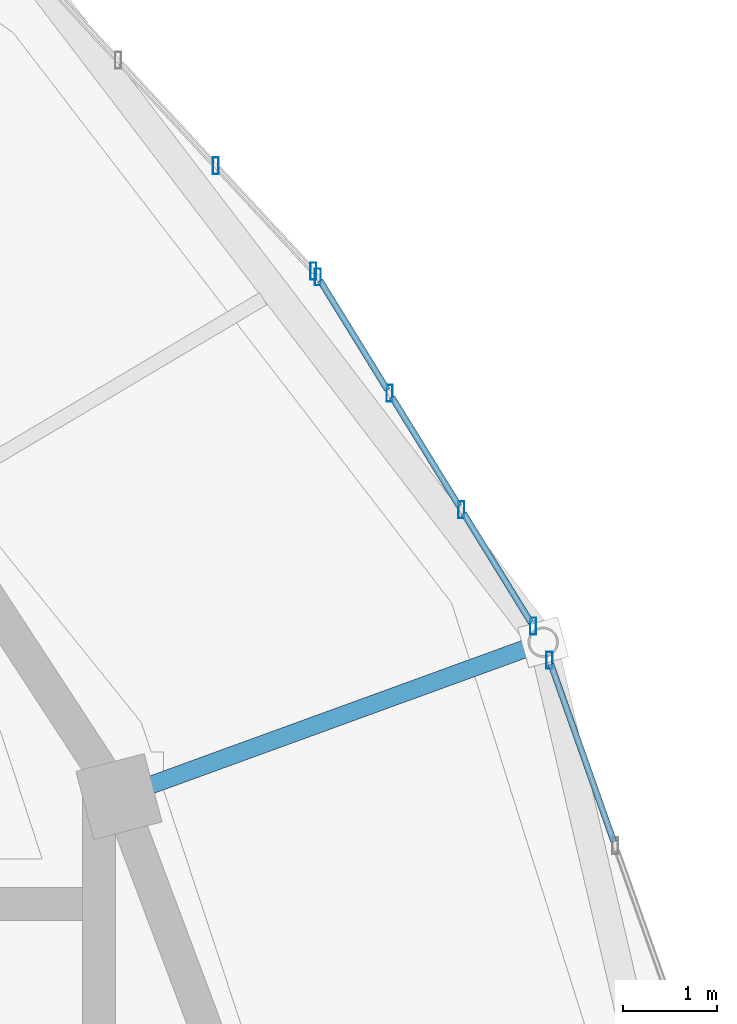
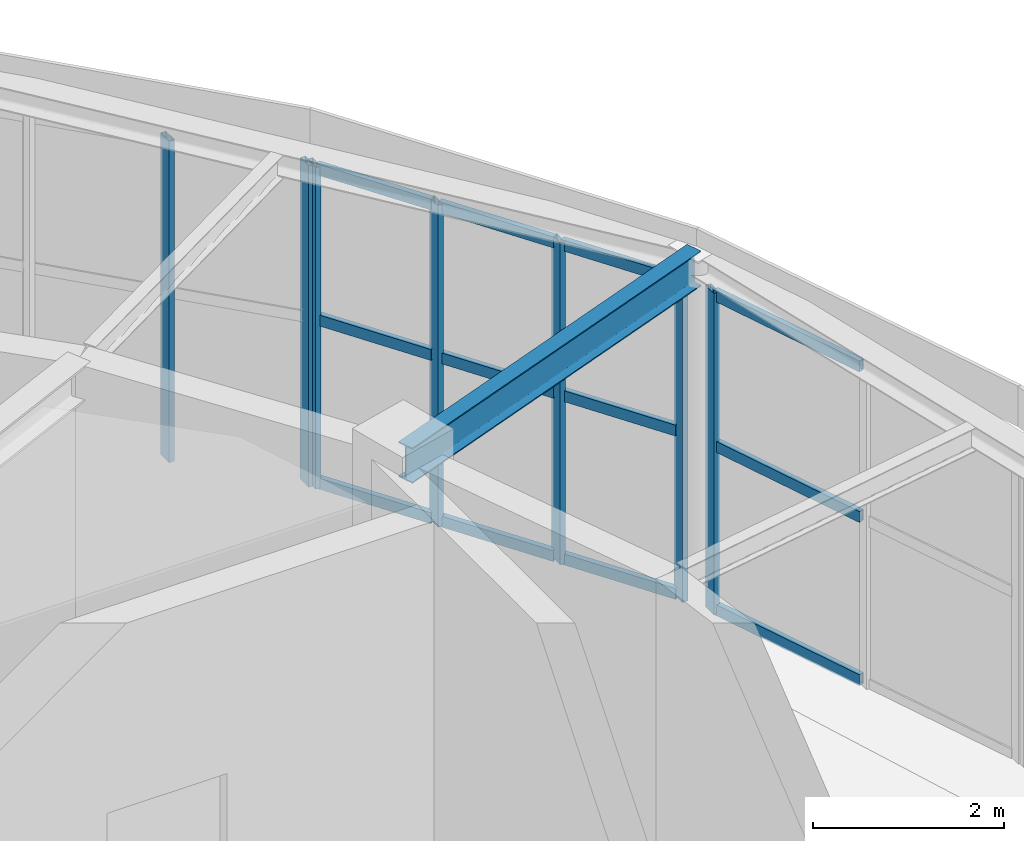
# One storey, part 50 of 108: 19 members, 1 beam, 3 elements without a shape of their own.
"""IFC4 building model written with IfcOpenShell, lengths in metres."""

from ifc_helpers import new_model, si_unit, direction, frame, origin, origin_2d, place, context, subcontext, project, spatial, hollow_rectangle, i_section, extrude, material, material_profile, profile_set, type_object, element, aggregate, save


model = new_model("IFC4")

# Units and contexts
model_context = context("Model", 3, precision=1e-05, world=origin(), true_north=direction((0.0, 1.0)))
body_context = subcontext(model_context, "Body", "Model", "MODEL_VIEW")
ifc_project = project(units=[si_unit("LENGTHUNIT", "METRE"), si_unit("AREAUNIT", "SQUARE_METRE"), si_unit("VOLUMEUNIT", "CUBIC_METRE"), si_unit("PLANEANGLEUNIT", "RADIAN"), si_unit("MASSUNIT", "GRAM", prefix="KILO")], contexts=[model_context])

# Site, building, storey
site_placement = place(None, origin())
site = spatial("IfcSite", under=ifc_project, at=site_placement, CompositionType="ELEMENT")
building_placement = place(site_placement, origin())
building = spatial("IfcBuilding", under=site, at=building_placement, Name="Tarnveldt Headland Concert Hall", CompositionType="ELEMENT")
storey_placement = place(building_placement, frame((0.0, 0.0, 9.60009765625)))
storey = spatial("IfcBuildingStorey", under=building, at=storey_placement, Name="L02", CompositionType="ELEMENT", Elevation=9.60009765625)

# Curtain wall, member
ifc_material_1 = material(Name="Marine-anodised aluminium EN AW-6063-T6", Category="aluminium")
curtain_wall_type = type_object("IfcCurtainWallType", Name="CW-F3", PredefinedType="NOTDEFINED", material=ifc_material_1)
curtain_wall_1_placement = place(storey_placement, origin())
curtain_wall_1 = element("IfcCurtainWall", 1, at=curtain_wall_1_placement, inside=storey, type_object=curtain_wall_type, Name="Curtain wall CW-L02-061", PredefinedType="NOTDEFINED")
ifc_material_profile_1 = material_profile(ifc_material_1, hollow_rectangle(XDim=0.06494140625, YDim=0.179931640625, WallThickness=0.00390625, at=origin_2d()), Name="ALU MULLION 65x180x4", Category="aluminium")
ifc_profile_set_1 = profile_set([ifc_material_profile_1], Name="Marine-anodised aluminium EN AW-6063-T6")
member_type_1 = type_object("IfcMemberType", Name="ML-180", PredefinedType="MULLION", material=ifc_profile_set_1)
member_1_placement = place(storey_placement, frame((114.389404296875, 62.791748046875, 0.0), z_axis=(0.0, 0.0, 1.0), x_axis=(1.0, 0.0, 0.0)))
member_1 = element("IfcMember", 2, at=member_1_placement, type_object=member_type_1, Name="Mullion CW-L02-061-3", PredefinedType="MULLION", context=body_context, shape_type="SweptSolid", body=[
    extrude(hollow_rectangle(XDim=0.06494140625, YDim=0.179931640625, WallThickness=0.00390625, at=origin_2d()), origin(), (0.0, 0.0, 1.0), 4.10791015625),
])

# Curtain wall, members
curtain_wall_2_placement = place(storey_placement, origin())
curtain_wall_2 = element("IfcCurtainWall", 3, at=curtain_wall_2_placement, inside=storey, type_object=curtain_wall_type, Name="Curtain wall CW-L02-062", PredefinedType="NOTDEFINED")
member_2_placement = place(storey_placement, frame((114.2158203125, 63.154052734375, 0.0), z_axis=(0.0, 0.0, 1.0), x_axis=(1.0, 0.0, 0.0)))
member_2 = element("IfcMember", 4, at=member_2_placement, type_object=member_type_1, Name="Mullion CW-L02-062-1", PredefinedType="MULLION", context=body_context, shape_type="SweptSolid", body=[
    extrude(hollow_rectangle(XDim=0.06494140625, YDim=0.179931640625, WallThickness=0.00390625, at=origin_2d()), origin(), (0.0, 0.0, 1.0), 4.10791015625),
])
member_3_placement = place(storey_placement, frame((113.452880859375, 64.391357421875, 0.0), z_axis=(0.0, 0.0, 1.0), x_axis=(1.0, 0.0, 0.0)))
member_3 = element("IfcMember", 5, at=member_3_placement, type_object=member_type_1, Name="Mullion CW-L02-062-2", PredefinedType="MULLION", context=body_context, shape_type="SweptSolid", body=[
    extrude(hollow_rectangle(XDim=0.06494140625, YDim=0.179931640625, WallThickness=0.00390625, at=origin_2d()), origin(), (0.0, 0.0, 1.0), 4.10791015625),
])
member_4_placement = place(storey_placement, frame((112.689697265625, 65.628662109375, 0.0), z_axis=(0.0, 0.0, 1.0), x_axis=(1.0, 0.0, 0.0)))
member_4 = element("IfcMember", 6, at=member_4_placement, type_object=member_type_1, Name="Mullion CW-L02-062-3", PredefinedType="MULLION", context=body_context, shape_type="SweptSolid", body=[
    extrude(hollow_rectangle(XDim=0.06494140625, YDim=0.179931640625, WallThickness=0.00390625, at=origin_2d()), origin(), (0.0, 0.0, 1.0), 4.10791015625),
])
member_5_placement = place(storey_placement, frame((111.926513671875, 66.865966796875, 0.0), z_axis=(0.0, 0.0, 1.0), x_axis=(1.0, 0.0, 0.0)))
member_5 = element("IfcMember", 7, at=member_5_placement, type_object=member_type_1, Name="Mullion CW-L02-062-4", PredefinedType="MULLION", context=body_context, shape_type="SweptSolid", body=[
    extrude(hollow_rectangle(XDim=0.06494140625, YDim=0.179931640625, WallThickness=0.00390625, at=origin_2d()), origin(), (0.0, 0.0, 1.0), 4.10791015625),
])

curtain_wall_3_placement = place(storey_placement, origin())
curtain_wall_3 = element("IfcCurtainWall", 8, at=curtain_wall_3_placement, inside=storey, type_object=curtain_wall_type, Name="Curtain wall CW-L02-063", PredefinedType="NOTDEFINED")
member_6_placement = place(storey_placement, frame((111.87841796875, 66.92919921875, 0.0), z_axis=(0.0, 0.0, 1.0), x_axis=(1.0, 0.0, 0.0)))
member_6 = element("IfcMember", 9, at=member_6_placement, type_object=member_type_1, Name="Mullion CW-L02-063-1", PredefinedType="MULLION", context=body_context, shape_type="SweptSolid", body=[
    extrude(hollow_rectangle(XDim=0.06494140625, YDim=0.179931640625, WallThickness=0.00390625, at=origin_2d()), origin(), (0.0, 0.0, 1.0), 4.10791015625),
])
member_7_placement = place(storey_placement, frame((110.840087890625, 68.050537109375, 0.0), z_axis=(0.0, 0.0, 1.0), x_axis=(1.0, 0.0, 0.0)))
member_7 = element("IfcMember", 10, at=member_7_placement, type_object=member_type_1, Name="Mullion CW-L02-063-2", PredefinedType="MULLION", context=body_context, shape_type="SweptSolid", body=[
    extrude(hollow_rectangle(XDim=0.06494140625, YDim=0.179931640625, WallThickness=0.00390625, at=origin_2d()), origin(), (0.0, 0.0, 1.0), 4.10791015625),
])
aggregate(curtain_wall_3, [member_6, member_7])

# Beam
ifc_material_2 = material(Name="Steel S355", Category="steel")
ifc_material_profile_2 = material_profile(ifc_material_2, i_section(OverallWidth=0.18994140625, OverallDepth=0.449951171875, WebThickness=0.009521484375, FlangeThickness=0.0146484375, FilletRadius=0.02099609375, at=origin_2d()), Name="IPE450", Category="steel")
ifc_profile_set_2 = profile_set([ifc_material_profile_2], Name="Steel S355")
beam_type = type_object("IfcBeamType", Name="SB-IPE450", PredefinedType="BEAM", material=ifc_profile_set_2)
beam_placement = place(storey_placement, frame((109.84912109375, 61.35400390625, 4.344970703125), z_axis=(0.939673545823, 0.34207254681, 0.0), x_axis=(-0.34207254681, 0.939673545823, 0.0)))
element("IfcBeam", 11, at=beam_placement, inside=storey, type_object=beam_type, Name="Framing beam L02-999", PredefinedType="BEAM", context=body_context, shape_type="SweptSolid", body=[
    extrude(i_section(OverallWidth=0.18994140625, OverallDepth=0.449951171875, WebThickness=0.009521484375, FlangeThickness=0.0146484375, FilletRadius=0.02099609375, at=origin_2d()), origin(), (0.0, 0.0, 1.0), 4.69970703125),
])

# Member
ifc_material_profile_3 = material_profile(ifc_material_1, hollow_rectangle(XDim=0.06494140625, YDim=0.139892578125, WallThickness=0.00390625, at=origin_2d()), Name="ALU TRANSOM 65x140x4", Category="aluminium")
ifc_profile_set_3 = profile_set([ifc_material_profile_3], Name="Marine-anodised aluminium EN AW-6063-T6")
member_type_2 = type_object("IfcMemberType", Name="TR-140", PredefinedType="MEMBER", material=ifc_profile_set_3)
member_8_placement = place(storey_placement, frame((115.073974609375, 60.85986328125, 0.0498046875), z_axis=(-0.333998157028, 0.942573727144, 0.0), x_axis=(-0.942573727144, -0.333998157028, 0.0)))
member_8 = element("IfcMember", 12, at=member_8_placement, type_object=member_type_2, Name="Transom CW-L02-061-2-1", PredefinedType="MEMBER", context=body_context, shape_type="SweptSolid", body=[
    extrude(hollow_rectangle(XDim=0.06494140625, YDim=0.139892578125, WallThickness=0.00390625, at=origin_2d()), origin(), (0.0, 0.0, 1.0), 2.005126953125),
])

member_9_placement = place(storey_placement, frame((115.073974609375, 60.85986328125, 2.135986328125), z_axis=(-0.333998157028, 0.942573727144, 0.0), x_axis=(-0.942573727144, -0.333998157028, 0.0)))
member_9 = element("IfcMember", 13, at=member_9_placement, type_object=member_type_2, Name="Transom CW-L02-061-2-2", PredefinedType="MEMBER", context=body_context, shape_type="SweptSolid", body=[
    extrude(hollow_rectangle(XDim=0.06494140625, YDim=0.139892578125, WallThickness=0.00390625, at=origin_2d()), origin(), (0.0, 0.0, 1.0), 2.005126953125),
])

member_10_placement = place(storey_placement, frame((115.073974609375, 60.85986328125, 4.057861328125), z_axis=(-0.333998157028, 0.942573727144, 0.0), x_axis=(-0.942573727144, -0.333998157028, 0.0)))
member_10 = element("IfcMember", 14, at=member_10_placement, type_object=member_type_2, Name="Transom CW-L02-061-2-3", PredefinedType="MEMBER", context=body_context, shape_type="SweptSolid", body=[
    extrude(hollow_rectangle(XDim=0.06494140625, YDim=0.139892578125, WallThickness=0.00390625, at=origin_2d()), origin(), (0.0, 0.0, 1.0), 2.005126953125),
])

aggregate(curtain_wall_1, [member_1, member_8, member_9, member_10])

member_11_placement = place(storey_placement, frame((114.1923828125, 63.19189453125, 0.0498046875), z_axis=(-0.524746114074, 0.851258783076, 0.0), x_axis=(-0.851258783076, -0.524746114074, 0.0)))
member_11 = element("IfcMember", 15, at=member_11_placement, type_object=member_type_2, Name="Transom CW-L02-062-1-1", PredefinedType="MEMBER", context=body_context, shape_type="SweptSolid", body=[
    extrude(hollow_rectangle(XDim=0.06494140625, YDim=0.139892578125, WallThickness=0.00390625, at=origin_2d()), origin(), (0.0, 0.0, 1.0), 1.364501953125),
])

member_12_placement = place(storey_placement, frame((114.1923828125, 63.19189453125, 2.135986328125), z_axis=(-0.524746114074, 0.851258783076, 0.0), x_axis=(-0.851258783076, -0.524746114074, 0.0)))
member_12 = element("IfcMember", 16, at=member_12_placement, type_object=member_type_2, Name="Transom CW-L02-062-1-2", PredefinedType="MEMBER", context=body_context, shape_type="SweptSolid", body=[
    extrude(hollow_rectangle(XDim=0.06494140625, YDim=0.139892578125, WallThickness=0.00390625, at=origin_2d()), origin(), (0.0, 0.0, 1.0), 1.364501953125),
])

member_13_placement = place(storey_placement, frame((114.1923828125, 63.19189453125, 4.057861328125), z_axis=(-0.524746114074, 0.851258783076, 0.0), x_axis=(-0.851258783076, -0.524746114074, 0.0)))
member_13 = element("IfcMember", 17, at=member_13_placement, type_object=member_type_2, Name="Transom CW-L02-062-1-3", PredefinedType="MEMBER", context=body_context, shape_type="SweptSolid", body=[
    extrude(hollow_rectangle(XDim=0.06494140625, YDim=0.139892578125, WallThickness=0.00390625, at=origin_2d()), origin(), (0.0, 0.0, 1.0), 1.364501953125),
])

member_14_placement = place(storey_placement, frame((113.429443359375, 64.42919921875, 0.0498046875), z_axis=(-0.524875742193, 0.851178862083, 0.0), x_axis=(-0.851178862083, -0.524875742193, 0.0)))
member_14 = element("IfcMember", 18, at=member_14_placement, type_object=member_type_2, Name="Transom CW-L02-062-2-1", PredefinedType="MEMBER", context=body_context, shape_type="SweptSolid", body=[
    extrude(hollow_rectangle(XDim=0.06494140625, YDim=0.139892578125, WallThickness=0.00390625, at=origin_2d()), origin(), (0.0, 0.0, 1.0), 1.36474609375),
])

member_15_placement = place(storey_placement, frame((113.429443359375, 64.42919921875, 2.135986328125), z_axis=(-0.524875742193, 0.851178862083, 0.0), x_axis=(-0.851178862083, -0.524875742193, 0.0)))
member_15 = element("IfcMember", 19, at=member_15_placement, type_object=member_type_2, Name="Transom CW-L02-062-2-2", PredefinedType="MEMBER", context=body_context, shape_type="SweptSolid", body=[
    extrude(hollow_rectangle(XDim=0.06494140625, YDim=0.139892578125, WallThickness=0.00390625, at=origin_2d()), origin(), (0.0, 0.0, 1.0), 1.36474609375),
])

member_16_placement = place(storey_placement, frame((113.429443359375, 64.42919921875, 4.057861328125), z_axis=(-0.524875742193, 0.851178862083, 0.0), x_axis=(-0.851178862083, -0.524875742193, 0.0)))
member_16 = element("IfcMember", 20, at=member_16_placement, type_object=member_type_2, Name="Transom CW-L02-062-2-3", PredefinedType="MEMBER", context=body_context, shape_type="SweptSolid", body=[
    extrude(hollow_rectangle(XDim=0.06494140625, YDim=0.139892578125, WallThickness=0.00390625, at=origin_2d()), origin(), (0.0, 0.0, 1.0), 1.36474609375),
])

member_17_placement = place(storey_placement, frame((112.666259765625, 65.66650390625, 0.0498046875), z_axis=(-0.524875742193, 0.851178862083, 0.0), x_axis=(-0.851178862083, -0.524875742193, 0.0)))
member_17 = element("IfcMember", 21, at=member_17_placement, type_object=member_type_2, Name="Transom CW-L02-062-3-1", PredefinedType="MEMBER", context=body_context, shape_type="SweptSolid", body=[
    extrude(hollow_rectangle(XDim=0.06494140625, YDim=0.139892578125, WallThickness=0.00390625, at=origin_2d()), origin(), (0.0, 0.0, 1.0), 1.36474609375),
])

member_18_placement = place(storey_placement, frame((112.666259765625, 65.66650390625, 2.135986328125), z_axis=(-0.524875742193, 0.851178862083, 0.0), x_axis=(-0.851178862083, -0.524875742193, 0.0)))
member_18 = element("IfcMember", 22, at=member_18_placement, type_object=member_type_2, Name="Transom CW-L02-062-3-2", PredefinedType="MEMBER", context=body_context, shape_type="SweptSolid", body=[
    extrude(hollow_rectangle(XDim=0.06494140625, YDim=0.139892578125, WallThickness=0.00390625, at=origin_2d()), origin(), (0.0, 0.0, 1.0), 1.36474609375),
])

member_19_placement = place(storey_placement, frame((112.666259765625, 65.66650390625, 4.057861328125), z_axis=(-0.524875742193, 0.851178862083, 0.0), x_axis=(-0.851178862083, -0.524875742193, 0.0)))
member_19 = element("IfcMember", 23, at=member_19_placement, type_object=member_type_2, Name="Transom CW-L02-062-3-3", PredefinedType="MEMBER", context=body_context, shape_type="SweptSolid", body=[
    extrude(hollow_rectangle(XDim=0.06494140625, YDim=0.139892578125, WallThickness=0.00390625, at=origin_2d()), origin(), (0.0, 0.0, 1.0), 1.36474609375),
])

aggregate(curtain_wall_2, [member_2, member_3, member_4, member_5, member_11, member_12, member_13, member_14, member_15, member_16, member_17, member_18, member_19])

save(model, "model.ifc")
